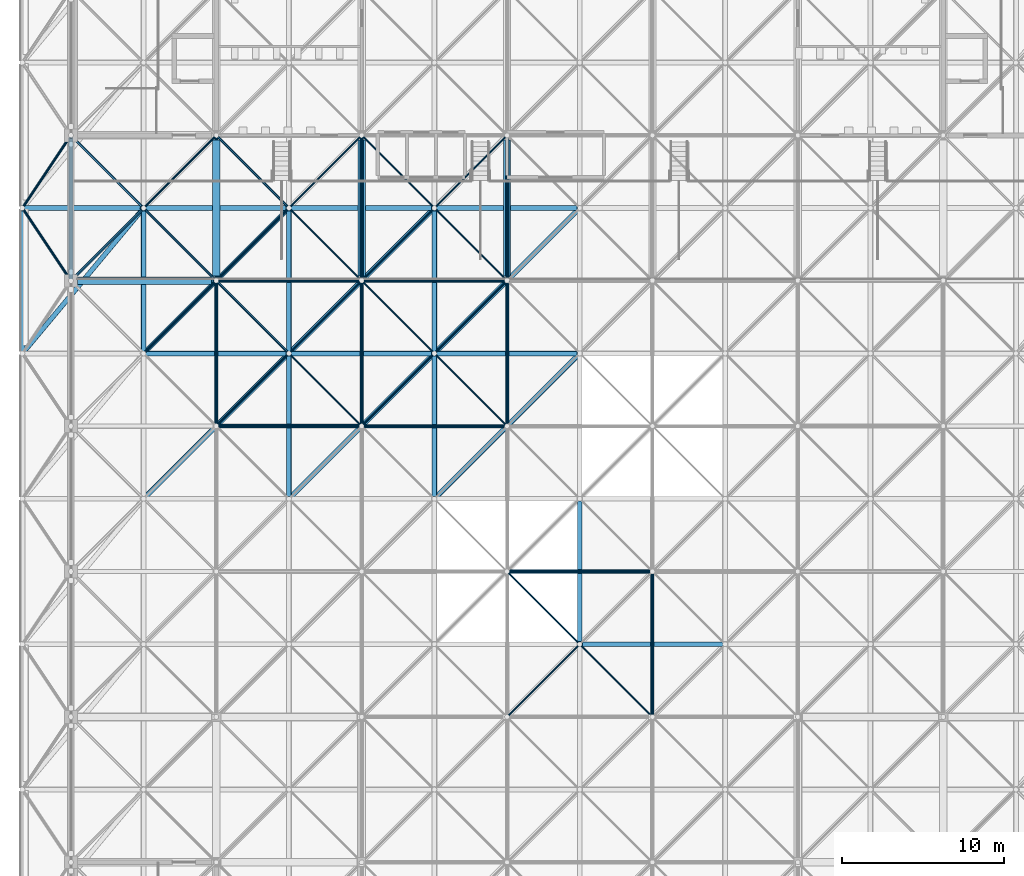
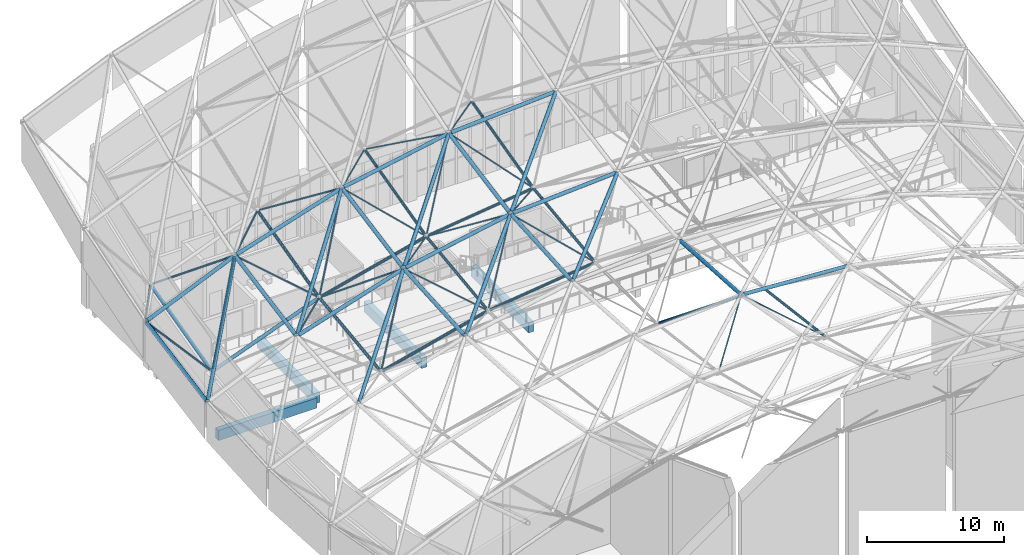
# One storey, part 99 of 437: 62 members, 4 beams.
"""IFC4 building model written with IfcOpenShell, lengths in metres."""

import ifcopenshell
import ifcopenshell.guid

model = None  # the IFC model being written
_history = None  # IfcOwnerHistory: only IFC2X3 demands one
_inside = {}  # id of a spatial element -> (the spatial element, [elements in it])
_under = {}  # id of a project, library or spatial element -> (it, [spatial elements below it])
_declared = {}  # id of a project -> (the project, [libraries it declares])
_typed = {}  # id of a type object -> (the type object, [elements of that type])
_made_of = {}  # id of a material, layer set ... -> (it, [elements and type objects made of it])


def new_model(schema):
    """Start an empty IFC model of exactly this schema.

    Asked for "IFC4X3", IfcOpenShell would pick the latest addendum, in which some entities
    have other attributes; the version numbers below select the first issue.
    IFC2X3 requires an IfcOwnerHistory on every rooted entity: one is made here for all.
    """
    global model, _history
    if schema == "IFC4X3":
        model = ifcopenshell.file(schema_version=(4, 3, 0, 0))
    else:
        model = ifcopenshell.file(schema=schema)
    _inside.clear()
    _under.clear()
    _declared.clear()
    _typed.clear()
    _made_of.clear()
    _history = None
    if model.schema == "IFC2X3":
        org = make("IfcOrganization", Name="unknown")
        user = make(
            "IfcPersonAndOrganization",
            ThePerson=make("IfcPerson", FamilyName="unknown"),
            TheOrganization=org,
        )
        app = make(
            "IfcApplication",
            ApplicationDeveloper=org,
            Version="unknown",
            ApplicationFullName="unknown",
            ApplicationIdentifier="unknown",
        )
        _history = make(
            "IfcOwnerHistory",
            OwningUser=user,
            OwningApplication=app,
            ChangeAction="ADDED",
            CreationDate=0,
        )
    return model


def make(cls, **values):
    """One entity of the class cls with the attributes given. An attribute that is None is left unset."""
    return model.create_entity(
        cls, **{name: value for name, value in values.items() if value is not None}
    )


def rooted(cls, **values):
    """An entity with a GlobalId (a new one), such as an element, a storey or a relation."""
    return make(cls, GlobalId=ifcopenshell.guid.new(), OwnerHistory=_history, **values)


def si_unit(unit_type, name, prefix=None):
    """IfcSIUnit, for example si_unit("LENGTHUNIT", "METRE", prefix="MILLI")."""
    return make("IfcSIUnit", UnitType=unit_type, Prefix=prefix, Name=name)


def assignment(units):
    """IfcUnitAssignment: the units of a project."""
    return None if units is None else make("IfcUnitAssignment", Units=units)


def point(xyz):
    """IfcCartesianPoint."""
    return None if xyz is None else make("IfcCartesianPoint", Coordinates=xyz)


def direction(xyz):
    """IfcDirection."""
    return None if xyz is None else make("IfcDirection", DirectionRatios=xyz)


def frame(location, z_axis=None, x_axis=None):
    """IfcAxis2Placement3D, a coordinate frame: its origin and axes. An axis left out is left unset."""
    return make(
        "IfcAxis2Placement3D",
        Location=point(location),
        Axis=direction(z_axis),
        RefDirection=direction(x_axis),
    )


def frame_2d(location, x_axis=None):
    """IfcAxis2Placement2D, a coordinate frame in the plane: its origin and x axis."""
    return make(
        "IfcAxis2Placement2D", Location=point(location), RefDirection=direction(x_axis)
    )


def origin():
    """The frame at (0, 0, 0) with its axes left unset."""
    return frame((0.0, 0.0, 0.0))


def origin_2d():
    """The frame at (0, 0) in the plane with its x axis left unset."""
    return frame_2d((0.0, 0.0))


def place(relative_to, where):
    """IfcLocalPlacement: puts the frame where relative to a parent placement (None: the world)."""
    return make(
        "IfcLocalPlacement", PlacementRelTo=relative_to, RelativePlacement=where
    )


def context(
    kind, dimensions, precision=None, world=None, true_north=None, identifier=None
):
    """IfcGeometricRepresentationContext, for example the 3D "Model" context."""
    return make(
        "IfcGeometricRepresentationContext",
        ContextIdentifier=identifier,
        ContextType=kind,
        CoordinateSpaceDimension=dimensions,
        Precision=precision,
        WorldCoordinateSystem=world,
        TrueNorth=true_north,
    )


def subcontext(parent, identifier, kind, view, scale=None):
    """IfcGeometricRepresentationSubContext, for example "Body" below "Model"."""
    return make(
        "IfcGeometricRepresentationSubContext",
        ContextIdentifier=identifier,
        ContextType=kind,
        ParentContext=parent,
        TargetScale=scale,
        TargetView=view,
    )


def project(units=None, contexts=None):
    """IfcProject with its units and contexts."""
    return rooted(
        "IfcProject",
        Name="project",
        RepresentationContexts=contexts,
        UnitsInContext=assignment(units),
    )


def spatial(cls, under=None, at=None, **own):
    """A site, building, storey or space (cls), placed at a placement, below another one or the project."""
    s = rooted(cls, ObjectPlacement=at, **own)
    if under is not None:
        _under.setdefault(under.id(), (under, []))[1].append(s)
    return s


def profile(cls, at=None, kind="AREA", **sizes):
    """A parametric profile (cls). Its sizes go by their IFC names, for example OverallWidth=200.0."""
    return make(cls, ProfileType=kind, Position=at, **sizes)


def rectangle(**sizes):
    """IfcRectangleProfileDef."""
    return profile("IfcRectangleProfileDef", **sizes)


def hollow_circle(**sizes):
    """IfcCircleHollowProfileDef."""
    return profile("IfcCircleHollowProfileDef", **sizes)


def extrude(swept, where, along, depth):
    """IfcExtrudedAreaSolid: the profile swept, set in the frame where, extruded along a direction by depth."""
    return make(
        "IfcExtrudedAreaSolid",
        SweptArea=swept,
        Position=where,
        ExtrudedDirection=direction(along),
        Depth=depth,
    )


def shape(context_of_items, identifier, shape_type, items):
    """IfcShapeRepresentation: the items that make up one representation, for example the "Body"."""
    return make(
        "IfcShapeRepresentation",
        ContextOfItems=context_of_items,
        RepresentationIdentifier=identifier,
        RepresentationType=shape_type,
        Items=items,
    )


def material(Name=None, Category=None):
    """IfcMaterial."""
    return make("IfcMaterial", Name=Name, Category=Category)


def material_profile(
    of_material, cross_section, Name=None, Category=None, Priority=None
):
    """IfcMaterialProfile: a cross section and its material."""
    return make(
        "IfcMaterialProfile",
        Name=Name,
        Material=of_material,
        Profile=cross_section,
        Priority=Priority,
        Category=Category,
    )


def profile_set(profiles, Name=None, composite=None):
    """IfcMaterialProfileSet."""
    return make(
        "IfcMaterialProfileSet",
        Name=Name,
        MaterialProfiles=profiles,
        CompositeProfile=composite,
    )


def made_of(thing, what):
    """Note that an element or type object is made of a material, layer set ...; save() writes the relation."""
    if what is not None:
        _made_of.setdefault(what.id(), (what, []))[1].append(thing)
    return thing


def type_object(cls, material=None, **own):
    """A type object (cls), such as IfcWallType, which elements share."""
    return made_of(rooted(cls, **own), material)


def element(
    cls,
    number,
    at=None,
    inside=None,
    cuts=None,
    type_object=None,
    material=None,
    context=None,
    identifier="Body",
    shape_type=None,
    held_by="IfcProductDefinitionShape",
    body=None,
    shapes=None,
    **own,
):
    """One element of the class cls, such as IfcWall. Its Tag is "e" and its number.

    at: its placement. inside: the storey or other place that contains it. cuts: it is an
    opening in that element (IfcRelVoidsElement). A single representation is given by context,
    identifier, shape_type and body (its items); several are given by shapes. held_by: the class
    of the entity that holds the representations. save() writes the other relations.
    """
    e = rooted(cls, Tag="e%d" % number, ObjectPlacement=at, **own)
    if body is not None:
        shapes = [shape(context, identifier, shape_type, body)]
    if shapes is not None:
        e.Representation = make(held_by, Representations=shapes)
    if inside is not None:
        _inside.setdefault(inside.id(), (inside, []))[1].append(e)
    if cuts is not None:
        rooted(
            "IfcRelVoidsElement", RelatingBuildingElement=cuts, RelatedOpeningElement=e
        )
    if type_object is not None:
        _typed.setdefault(type_object.id(), (type_object, []))[1].append(e)
    return made_of(e, material)


def aggregate(whole, parts):
    """IfcRelAggregates: a whole, such as a stair, and the parts it consists of."""
    return rooted("IfcRelAggregates", RelatingObject=whole, RelatedObjects=parts)


def save(model, path):
    """Write the relations noted so far, then the file.

    IfcRelAggregates (storeys below a building ...), IfcRelContainedInSpatialStructure (elements
    in a storey), IfcRelDefinesByType, IfcRelAssociatesMaterial and IfcRelDeclares: one each for
    every whole, place, type object, material and project.
    """
    for whole, parts in _under.values():
        aggregate(whole, parts)
    for where, things in _inside.values():
        rooted(
            "IfcRelContainedInSpatialStructure",
            RelatedElements=things,
            RelatingStructure=where,
        )
    for kind, things in _typed.values():
        rooted("IfcRelDefinesByType", RelatedObjects=things, RelatingType=kind)
    for what, things in _made_of.values():
        rooted("IfcRelAssociatesMaterial", RelatedObjects=things, RelatingMaterial=what)
    for by, libraries in _declared.values():
        rooted("IfcRelDeclares", RelatingContext=by, RelatedDefinitions=libraries)
    model.write(path)


model = new_model("IFC4")

# Units and contexts
model_context = context("Model", 3, precision=1e-05, world=origin(), true_north=direction((0.0, 1.0)))
body_context = subcontext(model_context, "Body", "Model", "MODEL_VIEW")
ifc_project = project(units=[si_unit("LENGTHUNIT", "METRE"), si_unit("AREAUNIT", "SQUARE_METRE"), si_unit("VOLUMEUNIT", "CUBIC_METRE"), si_unit("PLANEANGLEUNIT", "RADIAN"), si_unit("MASSUNIT", "GRAM", prefix="KILO")], contexts=[model_context])

# Site, building, storey
site_placement = place(None, origin())
site = spatial("IfcSite", under=ifc_project, at=site_placement, CompositionType="ELEMENT")
building_placement = place(site_placement, origin())
building = spatial("IfcBuilding", under=site, at=building_placement, Name="Opaline Strait Convention Centre", CompositionType="ELEMENT")
storey_placement = place(building_placement, frame((0.0, 0.0, 11.5)))
storey = spatial("IfcBuildingStorey", under=building, at=storey_placement, Name="L02", CompositionType="ELEMENT", Elevation=11.5)

# Beams
ifc_material_1 = material(Name="Concrete C35", Category="concrete")
ifc_material_profile_1 = material_profile(ifc_material_1, rectangle(XDim=0.449951171875, YDim=0.89990234375, at=origin_2d()), Name="RC 450x900")
ifc_profile_set_1 = profile_set([ifc_material_profile_1], Name="Concrete C35")
beam_type = type_object("IfcBeamType", Name="RC floor beam 450x900 C35", PredefinedType="BEAM", material=ifc_profile_set_1)
beam_placement = place(storey_placement, frame((9.39990234375, 162.0, -0.72998046875), z_axis=(1.0, 0.0, 0.0), x_axis=(0.0, 1.0, 0.0)))
element("IfcBeam", 1, at=beam_placement, inside=storey, type_object=beam_type, Name="PFB1 L02 beam 2/U-3/U", PredefinedType="BEAM", context=body_context, shape_type="SweptSolid", body=[
    extrude(rectangle(XDim=0.449951171875, YDim=0.89990234375, at=origin_2d()), origin(), (0.0, 0.0, 1.0), 8.300048828125),
])
for number, where, z_axis, x_axis, name in (
    (2, (18.0, 162.300048828125, -0.72998046875), (0.0, 1.0, 0.0), (-1.0, 0.0, 0.0), "PFB1 L02 beam 3/U-3/V"),
    (3, (27.0, 162.300048828125, -0.72998046875), (0.0, 1.0, 0.0), (-1.0, 0.0, 0.0), "PFB1 L02 beam 4/U-4/V"),
    (4, (36.0, 162.300048828125, -0.72998046875), (0.0, 1.0, 0.0), (-1.0, 0.0, 0.0), "PFB1 L02 beam 5/U-5/V"),
):
    element("IfcBeam", number, at=place(storey_placement, frame(where, z_axis=z_axis, x_axis=x_axis)), inside=storey, type_object=beam_type, Name=name, PredefinedType="BEAM", context=body_context, shape_type="SweptSolid", body=[
        extrude(rectangle(XDim=0.449951171875, YDim=0.89990234375, at=origin_2d()), origin(), (0.0, 0.0, 1.0), 8.39990234375),
    ])

# Members
ifc_material_2 = material(Name="Steel Q355B", Category="steel")
ifc_material_profile_2 = material_profile(ifc_material_2, hollow_circle(Radius=0.109619140625, WallThickness=0.008056640625, at=origin_2d()), Name="CHS 219x8")
ifc_profile_set_2 = profile_set([ifc_material_profile_2], Name="Steel Q355B")
member_type_1 = type_object("IfcMemberType", Name="Shell truss bottom chord CHS 219x8", PredefinedType="CHORD", material=ifc_profile_set_2)
member_1_placement = place(storey_placement, frame((36.14990234375, 144.0, 10.695068359375), z_axis=(1.0, 0.0, 0.0), x_axis=(0.0, 1.0, 0.0)))
element("IfcMember", 5, at=member_1_placement, inside=storey, type_object=member_type_1, Name="PBC3 bottom chord X4-4", PredefinedType="CHORD", context=body_context, shape_type="SweptSolid", body=[
    extrude(hollow_circle(Radius=0.109619140625, WallThickness=0.008056640625, at=origin_2d()), origin(), (0.0, 0.0, 1.0), 8.7001953125),
])
for number, where, z_axis, x_axis, name in (
    (6, (27.14990234375, 153.0, 9.5712890625), (0.992034447069, 0.0, 0.125966883853), (0.0, 1.0, 0.0), "PBC3 bottom chord X3-5"),
    (7, (27.14990234375, 162.0, 10.714111328125), (0.992034447069, 0.0, 0.125966883853), (0.0, 1.0, 0.0), "PBC3 bottom chord X3-6"),
    (8, (27.0, 153.14990234375, 9.5712890625), (0.0, 0.992034447069, 0.125966883853), (-1.0, 0.0, 0.0), "PBC3 bottom chord Y3-5"),
):
    element("IfcMember", number, at=place(storey_placement, frame(where, z_axis=z_axis, x_axis=x_axis)), inside=storey, type_object=member_type_1, Name=name, PredefinedType="CHORD", context=body_context, shape_type="SweptSolid", body=[
        extrude(hollow_circle(Radius=0.109619140625, WallThickness=0.008056640625, at=origin_2d()), origin(), (0.0, 0.0, 1.0), 8.77001953125),
    ])
member_2_placement = place(storey_placement, frame((27.0, 162.14990234375, 10.733154296875), z_axis=(0.0, 0.969233447146, 0.246143301624), x_axis=(-1.0, 0.0, 0.0)))
element("IfcMember", 9, at=member_2_placement, inside=storey, type_object=member_type_1, Name="PBC3 bottom chord Y3-6", PredefinedType="CHORD", context=body_context, shape_type="SweptSolid", body=[
    extrude(hollow_circle(Radius=0.109619140625, WallThickness=0.008056640625, at=origin_2d()), origin(), (0.0, 0.0, 1.0), 8.976318359375),
])
member_3_placement = place(storey_placement, frame((36.0, 153.14990234375, 10.714111328125), z_axis=(0.0, 0.992034447069, 0.125966883853), x_axis=(-1.0, 0.0, 0.0)))
element("IfcMember", 10, at=member_3_placement, inside=storey, type_object=member_type_1, Name="PBC3 bottom chord Y4-5", PredefinedType="CHORD", context=body_context, shape_type="SweptSolid", body=[
    extrude(hollow_circle(Radius=0.109619140625, WallThickness=0.008056640625, at=origin_2d()), origin(), (0.0, 0.0, 1.0), 8.77001953125),
])
member_4_placement = place(storey_placement, frame((36.0, 162.14990234375, 11.8759765625), z_axis=(0.0, 0.969233447146, 0.246143301624), x_axis=(-1.0, 0.0, 0.0)))
element("IfcMember", 11, at=member_4_placement, inside=storey, type_object=member_type_1, Name="PBC3 bottom chord Y4-6", PredefinedType="CHORD", context=body_context, shape_type="SweptSolid", body=[
    extrude(hollow_circle(Radius=0.109619140625, WallThickness=0.008056640625, at=origin_2d()), origin(), (0.0, 0.0, 1.0), 8.976318359375),
])
member_5_placement = place(storey_placement, frame((45.0, 135.14990234375, 11.81884765625), z_axis=(0.0, 0.992034447069, -0.125966883853), x_axis=(-1.0, 0.0, 0.0)))
element("IfcMember", 12, at=member_5_placement, inside=storey, type_object=member_type_1, Name="PBC3 bottom chord Y5-3", PredefinedType="CHORD", context=body_context, shape_type="SweptSolid", body=[
    extrude(hollow_circle(Radius=0.109619140625, WallThickness=0.008056640625, at=origin_2d()), origin(), (0.0, 0.0, 1.0), 8.77001953125),
])
ifc_material_profile_3 = material_profile(ifc_material_2, hollow_circle(Radius=0.12255859375, WallThickness=0.011962890625, at=origin_2d()), Name="CHS 245x12")
ifc_profile_set_3 = profile_set([ifc_material_profile_3], Name="Steel Q355B")
member_type_2 = type_object("IfcMemberType", Name="Shell truss bottom chord CHS 245x12", PredefinedType="CHORD", material=ifc_profile_set_3)
for number, where, z_axis, x_axis, name in (
    (13, (18.14990234375, 153.0, 7.304443359375), (0.969233447146, 0.0, 0.246143301624), (0.0, 1.0, 0.0), "PBC2 bottom chord X2-5"),
    (14, (18.14990234375, 162.0, 8.447509765625), (0.969233447146, 0.0, 0.246143301624), (0.0, 1.0, 0.0), "PBC2 bottom chord X2-6"),
):
    element("IfcMember", number, at=place(storey_placement, frame(where, z_axis=z_axis, x_axis=x_axis)), inside=storey, type_object=member_type_2, Name=name, PredefinedType="CHORD", context=body_context, shape_type="SweptSolid", body=[
        extrude(hollow_circle(Radius=0.12255859375, WallThickness=0.011962890625, at=origin_2d()), origin(), (0.0, 0.0, 1.0), 8.976318359375),
    ])
member_6_placement = place(storey_placement, frame((18.0, 153.14990234375, 7.285400390625), z_axis=(0.0, 0.992034447069, 0.125966883853), x_axis=(-1.0, 0.0, 0.0)))
element("IfcMember", 15, at=member_6_placement, inside=storey, type_object=member_type_2, Name="PBC2 bottom chord Y2-5", PredefinedType="CHORD", context=body_context, shape_type="SweptSolid", body=[
    extrude(hollow_circle(Radius=0.12255859375, WallThickness=0.011962890625, at=origin_2d()), origin(), (0.0, 0.0, 1.0), 8.77001953125),
])
member_7_placement = place(storey_placement, frame((18.0, 162.14990234375, 8.447509765625), z_axis=(0.0, 0.969233447146, 0.246143301624), x_axis=(-1.0, 0.0, 0.0)))
element("IfcMember", 16, at=member_7_placement, inside=storey, type_object=member_type_2, Name="PBC2 bottom chord Y2-6", PredefinedType="CHORD", context=body_context, shape_type="SweptSolid", body=[
    extrude(hollow_circle(Radius=0.12255859375, WallThickness=0.011962890625, at=origin_2d()), origin(), (0.0, 0.0, 1.0), 8.976318359375),
])
ifc_material_profile_4 = material_profile(ifc_material_2, hollow_circle(Radius=0.136474609375, WallThickness=0.011962890625, at=origin_2d()), Name="CHS 273x12")
ifc_profile_set_4 = profile_set([ifc_material_profile_4], Name="Steel Q355B")
member_type_3 = type_object("IfcMemberType", Name="Shell truss bottom chord CHS 273x12", PredefinedType="CHORD", material=ifc_profile_set_4)
member_8_placement = place(storey_placement, frame((9.14990234375, 162.0, 5.037841796875), z_axis=(0.934493135261, 0.0, 0.355981151397), x_axis=(0.0, 1.0, 0.0)))
element("IfcMember", 17, at=member_8_placement, inside=storey, type_object=member_type_3, Name="PBC1 bottom chord X1-6", PredefinedType="CHORD", context=body_context, shape_type="SweptSolid", body=[
    extrude(hollow_circle(Radius=0.136474609375, WallThickness=0.011962890625, at=origin_2d()), origin(), (0.0, 0.0, 1.0), 9.31005859375),
])
member_9_placement = place(storey_placement, frame((9.0, 162.14990234375, 5.018798828125), z_axis=(0.0, 0.969233447146, 0.246143301624), x_axis=(-1.0, 0.0, 0.0)))
element("IfcMember", 18, at=member_9_placement, inside=storey, type_object=member_type_3, Name="PBC1 bottom chord Y1-6", PredefinedType="CHORD", context=body_context, shape_type="SweptSolid", body=[
    extrude(hollow_circle(Radius=0.136474609375, WallThickness=0.011962890625, at=origin_2d()), origin(), (0.0, 0.0, 1.0), 8.976318359375),
])
ifc_material_profile_5 = material_profile(ifc_material_2, hollow_circle(Radius=0.1494140625, WallThickness=0.010009765625, at=origin_2d()), Name="CHS 299x10")
ifc_profile_set_5 = profile_set([ifc_material_profile_5], Name="Steel Q355B")
member_type_4 = type_object("IfcMemberType", Name="Shell truss top chord CHS 299x10", PredefinedType="CHORD", material=ifc_profile_set_5)
member_10_placement = place(storey_placement, frame((40.64990234375, 139.5, 14.406982421875), z_axis=(0.997989749805, 0.0, -0.063375541694), x_axis=(0.0, 1.0, 0.0)))
element("IfcMember", 19, at=member_10_placement, inside=storey, type_object=member_type_4, Name="PTC2 top chord X5-4", PredefinedType="CHORD", context=body_context, shape_type="SweptSolid", body=[
    extrude(hollow_circle(Radius=0.1494140625, WallThickness=0.010009765625, at=origin_2d()), origin(), (0.0, 0.0, 1.0), 8.7177734375),
])
member_11_placement = place(storey_placement, frame((22.64990234375, 157.5, 12.1591796875), z_axis=(0.982337601302, 0.0, 0.187117174701), x_axis=(0.0, 1.0, 0.0)))
element("IfcMember", 20, at=member_11_placement, inside=storey, type_object=member_type_4, Name="PTC2 top chord X3-6", PredefinedType="CHORD", context=body_context, shape_type="SweptSolid", body=[
    extrude(hollow_circle(Radius=0.1494140625, WallThickness=0.010009765625, at=origin_2d()), origin(), (0.0, 0.0, 1.0), 8.856689453125),
])
member_12_placement = place(storey_placement, frame((31.64990234375, 157.5, 13.8544921875), z_axis=(0.997989749805, 0.0, 0.063375541694), x_axis=(0.0, 1.0, 0.0)))
element("IfcMember", 21, at=member_12_placement, inside=storey, type_object=member_type_4, Name="PTC2 top chord X4-6", PredefinedType="CHORD", context=body_context, shape_type="SweptSolid", body=[
    extrude(hollow_circle(Radius=0.1494140625, WallThickness=0.010009765625, at=origin_2d()), origin(), (0.0, 0.0, 1.0), 8.7177734375),
])
member_13_placement = place(storey_placement, frame((22.64990234375, 166.5, 13.87353515625), z_axis=(0.982337601302, 0.0, 0.187117174701), x_axis=(0.0, 1.0, 0.0)))
element("IfcMember", 22, at=member_13_placement, inside=storey, type_object=member_type_4, Name="PTC2 top chord X3-7", PredefinedType="CHORD", context=body_context, shape_type="SweptSolid", body=[
    extrude(hollow_circle(Radius=0.1494140625, WallThickness=0.010009765625, at=origin_2d()), origin(), (0.0, 0.0, 1.0), 8.856689453125),
])
for number, where, z_axis, x_axis, name in (
    (23, (31.64990234375, 166.5, 15.56884765625), (0.997991520688, 0.0, 0.063347649001), (0.0, 1.0, 0.0), "PTC2 top chord X4-7"),
    (24, (31.5, 148.64990234375, 13.283203125), (0.0, 0.997991520688, 0.063347649001), (-1.0, 0.0, 0.0), "PTC2 top chord Y4-5"),
):
    element("IfcMember", number, at=place(storey_placement, frame(where, z_axis=z_axis, x_axis=x_axis)), inside=storey, type_object=member_type_4, Name=name, PredefinedType="CHORD", context=body_context, shape_type="SweptSolid", body=[
        extrude(hollow_circle(Radius=0.1494140625, WallThickness=0.010009765625, at=origin_2d()), origin(), (0.0, 0.0, 1.0), 8.7177734375),
    ])
member_14_placement = place(storey_placement, frame((31.5, 157.64990234375, 13.87353515625), z_axis=(0.0, 0.982337601302, 0.187117174701), x_axis=(-1.0, 0.0, 0.0)))
element("IfcMember", 25, at=member_14_placement, inside=storey, type_object=member_type_4, Name="PTC2 top chord Y4-6", PredefinedType="CHORD", context=body_context, shape_type="SweptSolid", body=[
    extrude(hollow_circle(Radius=0.1494140625, WallThickness=0.010009765625, at=origin_2d()), origin(), (0.0, 0.0, 1.0), 8.856689453125),
])
member_15_placement = place(storey_placement, frame((40.5, 139.64990234375, 14.406982421875), z_axis=(0.0, 0.997989749805, -0.063375541694), x_axis=(-1.0, 0.0, 0.0)))
element("IfcMember", 26, at=member_15_placement, inside=storey, type_object=member_type_4, Name="PTC2 top chord Y5-4", PredefinedType="CHORD", context=body_context, shape_type="SweptSolid", body=[
    extrude(hollow_circle(Radius=0.1494140625, WallThickness=0.010009765625, at=origin_2d()), origin(), (0.0, 0.0, 1.0), 8.7177734375),
])
member_16_placement = place(storey_placement, frame((22.606201171875, 148.606201171875, 11.586181640625), z_axis=(0.695971699433, 0.695971699433, 0.176767607829), x_axis=(-0.707106781187, 0.707106781187, 0.0)))
element("IfcMember", 27, at=member_16_placement, inside=storey, type_object=member_type_4, Name="PTC2 top chord D3-5", PredefinedType="CHORD", context=body_context, shape_type="SweptSolid", body=[
    extrude(hollow_circle(Radius=0.1494140625, WallThickness=0.010009765625, at=origin_2d()), origin(), (0.0, 0.0, 1.0), 12.62646484375),
])
member_17_placement = place(storey_placement, frame((22.606201171875, 157.606201171875, 12.171142578125), z_axis=(0.6827688932, 0.6827688932, 0.260102435505), x_axis=(-0.707106781187, 0.707106781187, 0.0)))
element("IfcMember", 28, at=member_17_placement, inside=storey, type_object=member_type_4, Name="PTC2 top chord D3-6", PredefinedType="CHORD", context=body_context, shape_type="SweptSolid", body=[
    extrude(hollow_circle(Radius=0.1494140625, WallThickness=0.010009765625, at=origin_2d()), origin(), (0.0, 0.0, 1.0), 12.87060546875),
])
member_18_placement = place(storey_placement, frame((31.606201171875, 148.606201171875, 13.287109375), z_axis=(0.704272973434, 0.704272973434, 0.089438010823), x_axis=(-0.707106781187, 0.707106781187, 0.0)))
element("IfcMember", 29, at=member_18_placement, inside=storey, type_object=member_type_4, Name="PTC2 top chord D4-5", PredefinedType="CHORD", context=body_context, shape_type="SweptSolid", body=[
    extrude(hollow_circle(Radius=0.1494140625, WallThickness=0.010009765625, at=origin_2d()), origin(), (0.0, 0.0, 1.0), 12.4775390625),
])
member_19_placement = place(storey_placement, frame((31.606201171875, 157.606201171875, 13.871826171875), z_axis=(0.695971699433, 0.695971699433, 0.176767607829), x_axis=(-0.707106781187, 0.707106781187, 0.0)))
element("IfcMember", 30, at=member_19_placement, inside=storey, type_object=member_type_4, Name="PTC2 top chord D4-6", PredefinedType="CHORD", context=body_context, shape_type="SweptSolid", body=[
    extrude(hollow_circle(Radius=0.1494140625, WallThickness=0.010009765625, at=origin_2d()), origin(), (0.0, 0.0, 1.0), 12.62646484375),
])
ifc_material_profile_6 = material_profile(ifc_material_2, hollow_circle(Radius=0.1494140625, WallThickness=0.01611328125, at=origin_2d()), Name="CHS 299x16")
ifc_profile_set_6 = profile_set([ifc_material_profile_6], Name="Steel Q355B")
member_type_5 = type_object("IfcMemberType", Name="Shell truss top chord CHS 299x16", PredefinedType="CHORD", material=ifc_profile_set_6)
member_20_placement = place(storey_placement, frame((13.64990234375, 157.5, 9.3212890625), z_axis=(0.953132102782, 0.0, 0.302554449059), x_axis=(0.0, 1.0, 0.0)))
element("IfcMember", 31, at=member_20_placement, inside=storey, type_object=member_type_5, Name="PTC1 top chord X2-6", PredefinedType="CHORD", context=body_context, shape_type="SweptSolid", body=[
    extrude(hollow_circle(Radius=0.1494140625, WallThickness=0.01611328125, at=origin_2d()), origin(), (0.0, 0.0, 1.0), 9.1279296875),
])
member_21_placement = place(storey_placement, frame((6.14990234375, 166.5, 7.799072265625), z_axis=(0.917383800951, 0.0, 0.398003720777), x_axis=(0.0, 1.0, 0.0)))
element("IfcMember", 32, at=member_21_placement, inside=storey, type_object=member_type_5, Name="PTC1 top chord X1-7", PredefinedType="CHORD", context=body_context, shape_type="SweptSolid", body=[
    extrude(hollow_circle(Radius=0.1494140625, WallThickness=0.01611328125, at=origin_2d()), origin(), (0.0, 0.0, 1.0), 7.8486328125),
])
member_22_placement = place(storey_placement, frame((13.64990234375, 166.5, 11.035400390625), z_axis=(0.95312438958, 0.0, 0.302578746754), x_axis=(0.0, 1.0, 0.0)))
element("IfcMember", 33, at=member_22_placement, inside=storey, type_object=member_type_5, Name="PTC1 top chord X2-7", PredefinedType="CHORD", context=body_context, shape_type="SweptSolid", body=[
    extrude(hollow_circle(Radius=0.1494140625, WallThickness=0.01611328125, at=origin_2d()), origin(), (0.0, 0.0, 1.0), 9.128173828125),
])
for number, where, z_axis, x_axis, name in (
    (34, (6.0, 157.64990234375, 6.048095703125), (0.0, 0.982337601302, 0.187117174701), (-1.0, 0.0, 0.0), "PTC1 top chord Y1-6"),
    (35, (13.5, 157.64990234375, 9.302001953125), (0.0, 0.982337601302, 0.187117174701), (-1.0, 0.0, 0.0), "PTC1 top chord Y2-6"),
):
    element("IfcMember", number, at=place(storey_placement, frame(where, z_axis=z_axis, x_axis=x_axis)), inside=storey, type_object=member_type_5, Name=name, PredefinedType="CHORD", context=body_context, shape_type="SweptSolid", body=[
        extrude(hollow_circle(Radius=0.1494140625, WallThickness=0.01611328125, at=origin_2d()), origin(), (0.0, 0.0, 1.0), 8.856689453125),
    ])
member_23_placement = place(storey_placement, frame((22.5, 148.64990234375, 11.56884765625), z_axis=(0.0, 0.997991520688, 0.063347649001), x_axis=(-1.0, 0.0, 0.0)))
element("IfcMember", 36, at=member_23_placement, inside=storey, type_object=member_type_5, Name="PTC1 top chord Y3-5", PredefinedType="CHORD", context=body_context, shape_type="SweptSolid", body=[
    extrude(hollow_circle(Radius=0.1494140625, WallThickness=0.01611328125, at=origin_2d()), origin(), (0.0, 0.0, 1.0), 8.7177734375),
])
member_24_placement = place(storey_placement, frame((22.5, 157.64990234375, 12.1591796875), z_axis=(0.0, 0.982337601302, 0.187117174701), x_axis=(-1.0, 0.0, 0.0)))
element("IfcMember", 37, at=member_24_placement, inside=storey, type_object=member_type_5, Name="PTC1 top chord Y3-6", PredefinedType="CHORD", context=body_context, shape_type="SweptSolid", body=[
    extrude(hollow_circle(Radius=0.1494140625, WallThickness=0.01611328125, at=origin_2d()), origin(), (0.0, 0.0, 1.0), 8.856689453125),
])
member_25_placement = place(storey_placement, frame((6.095947265625, 157.615234375, 6.083251953125), z_axis=(0.589384448155, 0.707245586214, 0.39042240337), x_axis=(-0.768214267482, 0.640192814109, 0.0)))
element("IfcMember", 38, at=member_25_placement, inside=storey, type_object=member_type_5, Name="PTC1 top chord D1-6", PredefinedType="CHORD", context=body_context, shape_type="SweptSolid", body=[
    extrude(hollow_circle(Radius=0.1494140625, WallThickness=0.01611328125, at=origin_2d()), origin(), (0.0, 0.0, 1.0), 12.399658203125),
])
member_26_placement = place(storey_placement, frame((13.606201171875, 148.606201171875, 8.742431640625), z_axis=(0.682765524407, 0.682765524407, 0.260120121026), x_axis=(-0.707106781187, 0.707106781187, 0.0)))
element("IfcMember", 39, at=member_26_placement, inside=storey, type_object=member_type_5, Name="PTC1 top chord D2-5", PredefinedType="CHORD", context=body_context, shape_type="SweptSolid", body=[
    extrude(hollow_circle(Radius=0.1494140625, WallThickness=0.01611328125, at=origin_2d()), origin(), (0.0, 0.0, 1.0), 12.87060546875),
])
member_27_placement = place(storey_placement, frame((13.606201171875, 157.606201171875, 9.327392578125), z_axis=(0.66548332054, 0.66548332054, 0.338029436835), x_axis=(-0.707106781187, 0.707106781187, 0.0)))
element("IfcMember", 40, at=member_27_placement, inside=storey, type_object=member_type_5, Name="PTC1 top chord D2-6", PredefinedType="CHORD", context=body_context, shape_type="SweptSolid", body=[
    extrude(hollow_circle(Radius=0.1494140625, WallThickness=0.01611328125, at=origin_2d()), origin(), (0.0, 0.0, 1.0), 13.204833984375),
])
ifc_material_profile_7 = material_profile(ifc_material_2, hollow_circle(Radius=0.056884765625, WallThickness=0.006103515625, at=origin_2d()), Name="CHS 114x6")
ifc_profile_set_7 = profile_set([ifc_material_profile_7], Name="Steel Q355B")
member_type_6 = type_object("IfcMemberType", Name="Shell truss web CHS 114x6", PredefinedType="BRACE", material=ifc_profile_set_7)
member_28_placement = place(storey_placement, frame((26.893798828125, 153.106201171875, 9.61279296875), z_axis=(-0.655347879398, 0.655347879398, 0.375550680917), x_axis=(-0.707106781187, -0.707106781187, 0.0)))
element("IfcMember", 41, at=member_28_placement, inside=storey, type_object=member_type_6, Name="PWB3 web 3-5ad", PredefinedType="BRACE", context=body_context, shape_type="SweptSolid", body=[
    extrude(hollow_circle(Radius=0.056884765625, WallThickness=0.006103515625, at=origin_2d()), origin(), (0.0, 0.0, 1.0), 6.54248046875),
])
member_29_placement = place(storey_placement, frame((27.106201171875, 153.106201171875, 9.6533203125), z_axis=(0.58618937533, 0.58618937533, 0.559253102361), x_axis=(-0.707106781187, 0.707106781187, 0.0)))
element("IfcMember", 42, at=member_29_placement, inside=storey, type_object=member_type_6, Name="PWB3 web 3-5bd", PredefinedType="BRACE", context=body_context, shape_type="SweptSolid", body=[
    extrude(hollow_circle(Radius=0.056884765625, WallThickness=0.006103515625, at=origin_2d()), origin(), (0.0, 0.0, 1.0), 7.314453125),
])
member_30_placement = place(storey_placement, frame((26.893798828125, 161.893798828125, 10.728759765625), z_axis=(-0.689766139831, -0.689766139831, 0.220103031979), x_axis=(0.707106781187, -0.707106781187, 0.0)))
element("IfcMember", 43, at=member_30_placement, inside=storey, type_object=member_type_6, Name="PWB3 web 3-6ac", PredefinedType="BRACE", context=body_context, shape_type="SweptSolid", body=[
    extrude(hollow_circle(Radius=0.056884765625, WallThickness=0.006103515625, at=origin_2d()), origin(), (0.0, 0.0, 1.0), 6.216064453125),
])
for number, where, z_axis, x_axis, name in (
    (44, (26.893798828125, 162.106201171875, 10.769287109375), (-0.633718163842, 0.633718163842, 0.443624365464), (-0.707106781187, -0.707106781187, 0.0), "PWB3 web 3-6ad"),
    (45, (27.106201171875, 161.893798828125, 10.769287109375), (0.633718163842, -0.633718163842, 0.443624365464), (0.707106781187, 0.707106781187, 0.0), "PWB3 web 3-6bc"),
):
    element("IfcMember", number, at=place(storey_placement, frame(where, z_axis=z_axis, x_axis=x_axis)), inside=storey, type_object=member_type_6, Name=name, PredefinedType="BRACE", context=body_context, shape_type="SweptSolid", body=[
        extrude(hollow_circle(Radius=0.056884765625, WallThickness=0.006103515625, at=origin_2d()), origin(), (0.0, 0.0, 1.0), 6.765869140625),
    ])
member_31_placement = place(storey_placement, frame((27.106201171875, 162.106201171875, 10.809814453125), z_axis=(0.56178917646, 0.56178917646, 0.607277401544), x_axis=(-0.707106781187, 0.707106781187, 0.0)))
element("IfcMember", 46, at=member_31_placement, inside=storey, type_object=member_type_6, Name="PWB3 web 3-6bd", PredefinedType="BRACE", context=body_context, shape_type="SweptSolid", body=[
    extrude(hollow_circle(Radius=0.056884765625, WallThickness=0.006103515625, at=origin_2d()), origin(), (0.0, 0.0, 1.0), 7.632080078125),
])
member_32_placement = place(storey_placement, frame((26.893798828125, 170.893798828125, 13.001220703125), z_axis=(-0.700674687609, -0.700674687609, 0.134573267356), x_axis=(0.707106781187, -0.707106781187, 0.0)))
element("IfcMember", 47, at=member_32_placement, inside=storey, type_object=member_type_6, Name="PWB3 web 3-7ac", PredefinedType="BRACE", context=body_context, shape_type="SweptSolid", body=[
    extrude(hollow_circle(Radius=0.056884765625, WallThickness=0.006103515625, at=origin_2d()), origin(), (0.0, 0.0, 1.0), 6.119140625),
])
for number, where, z_axis, x_axis, name in (
    (48, (27.106201171875, 170.893798828125, 13.04150390625), (0.655347879398, -0.655347879398, 0.375550680917), (0.707106781187, 0.707106781187, 0.0), "PWB3 web 3-7bc"),
    (49, (36.106201171875, 135.106201171875, 11.898681640625), (0.655347879398, 0.655347879398, 0.375550680917), (-0.707106781187, 0.707106781187, 0.0), "PWB3 web 4-3bd"),
):
    element("IfcMember", number, at=place(storey_placement, frame(where, z_axis=z_axis, x_axis=x_axis)), inside=storey, type_object=member_type_6, Name=name, PredefinedType="BRACE", context=body_context, shape_type="SweptSolid", body=[
        extrude(hollow_circle(Radius=0.056884765625, WallThickness=0.006103515625, at=origin_2d()), origin(), (0.0, 0.0, 1.0), 6.54248046875),
    ])
member_33_placement = place(storey_placement, frame((36.106201171875, 143.893798828125, 10.78271484375), z_axis=(0.61039752844, -0.61039752844, 0.504806611039), x_axis=(0.707106781187, 0.707106781187, 0.0)))
element("IfcMember", 50, at=member_33_placement, inside=storey, type_object=member_type_6, Name="PWB3 web 4-4bc", PredefinedType="BRACE", context=body_context, shape_type="SweptSolid", body=[
    extrude(hollow_circle(Radius=0.056884765625, WallThickness=0.006103515625, at=origin_2d()), origin(), (0.0, 0.0, 1.0), 7.024169921875),
])
member_34_placement = place(storey_placement, frame((35.893798828125, 153.106201171875, 10.769287109375), z_axis=(-0.633718163842, 0.633718163842, 0.443624365464), x_axis=(-0.707106781187, -0.707106781187, 0.0)))
element("IfcMember", 51, at=member_34_placement, inside=storey, type_object=member_type_6, Name="PWB3 web 4-5ad", PredefinedType="BRACE", context=body_context, shape_type="SweptSolid", body=[
    extrude(hollow_circle(Radius=0.056884765625, WallThickness=0.006103515625, at=origin_2d()), origin(), (0.0, 0.0, 1.0), 6.765869140625),
])
member_35_placement = place(storey_placement, frame((35.893798828125, 161.893798828125, 11.88525390625), z_axis=(-0.674363311794, -0.674363311794, 0.300779399914), x_axis=(0.707106781187, -0.707106781187, 0.0)))
element("IfcMember", 52, at=member_35_placement, inside=storey, type_object=member_type_6, Name="PWB3 web 4-6ac", PredefinedType="BRACE", context=body_context, shape_type="SweptSolid", body=[
    extrude(hollow_circle(Radius=0.056884765625, WallThickness=0.006103515625, at=origin_2d()), origin(), (0.0, 0.0, 1.0), 6.35791015625),
])
member_36_placement = place(storey_placement, frame((35.893798828125, 162.106201171875, 11.925537109375), z_axis=(-0.610386818671, 0.610386818671, 0.504832510033), x_axis=(-0.707106781187, -0.707106781187, 0.0)))
element("IfcMember", 53, at=member_36_placement, inside=storey, type_object=member_type_6, Name="PWB3 web 4-6ad", PredefinedType="BRACE", context=body_context, shape_type="SweptSolid", body=[
    extrude(hollow_circle(Radius=0.056884765625, WallThickness=0.006103515625, at=origin_2d()), origin(), (0.0, 0.0, 1.0), 7.0244140625),
])
member_37_placement = place(storey_placement, frame((35.893798828125, 170.893798828125, 14.157470703125), z_axis=(-0.689772102252, -0.689772102252, 0.220065658178), x_axis=(0.707106781187, -0.707106781187, 0.0)))
element("IfcMember", 54, at=member_37_placement, inside=storey, type_object=member_type_6, Name="PWB3 web 4-7ac", PredefinedType="BRACE", context=body_context, shape_type="SweptSolid", body=[
    extrude(hollow_circle(Radius=0.056884765625, WallThickness=0.006103515625, at=origin_2d()), origin(), (0.0, 0.0, 1.0), 6.216064453125),
])
member_38_placement = place(storey_placement, frame((44.893798828125, 135.106201171875, 11.898681640625), z_axis=(-0.655347879398, 0.655347879398, 0.375550680917), x_axis=(-0.707106781187, -0.707106781187, 0.0)))
element("IfcMember", 55, at=member_38_placement, inside=storey, type_object=member_type_6, Name="PWB3 web 5-3ad", PredefinedType="BRACE", context=body_context, shape_type="SweptSolid", body=[
    extrude(hollow_circle(Radius=0.056884765625, WallThickness=0.006103515625, at=origin_2d()), origin(), (0.0, 0.0, 1.0), 6.54248046875),
])
ifc_material_profile_8 = material_profile(ifc_material_2, hollow_circle(Radius=0.070068359375, WallThickness=0.008056640625, at=origin_2d()), Name="CHS 140x8")
ifc_profile_set_8 = profile_set([ifc_material_profile_8], Name="Steel Q355B")
member_type_7 = type_object("IfcMemberType", Name="Shell truss web CHS 140x8", PredefinedType="BRACE", material=ifc_profile_set_8)
member_39_placement = place(storey_placement, frame((18.106201171875, 153.106201171875, 7.381103515625), z_axis=(0.561778263095, 0.561778263095, 0.607297592806), x_axis=(-0.707106781187, 0.707106781187, 0.0)))
element("IfcMember", 56, at=member_39_placement, inside=storey, type_object=member_type_7, Name="PWB2 web 2-5bd", PredefinedType="BRACE", context=body_context, shape_type="SweptSolid", body=[
    extrude(hollow_circle(Radius=0.070068359375, WallThickness=0.008056640625, at=origin_2d()), origin(), (0.0, 0.0, 1.0), 7.632080078125),
])
member_40_placement = place(storey_placement, frame((17.893798828125, 161.893798828125, 8.4296875), z_axis=(-0.700674687609, -0.700674687609, 0.134573267356), x_axis=(0.707106781187, -0.707106781187, 0.0)))
element("IfcMember", 57, at=member_40_placement, inside=storey, type_object=member_type_7, Name="PWB2 web 2-6ac", PredefinedType="BRACE", context=body_context, shape_type="SweptSolid", body=[
    extrude(hollow_circle(Radius=0.070068359375, WallThickness=0.008056640625, at=origin_2d()), origin(), (0.0, 0.0, 1.0), 6.119140625),
])
member_41_placement = place(storey_placement, frame((17.893798828125, 162.106201171875, 8.47021484375), z_axis=(-0.655357063272, 0.655357063272, 0.375518627019), x_axis=(-0.707106781187, -0.707106781187, 0.0)))
element("IfcMember", 58, at=member_41_placement, inside=storey, type_object=member_type_7, Name="PWB2 web 2-6ad", PredefinedType="BRACE", context=body_context, shape_type="SweptSolid", body=[
    extrude(hollow_circle(Radius=0.070068359375, WallThickness=0.008056640625, at=origin_2d()), origin(), (0.0, 0.0, 1.0), 6.54248046875),
])
member_42_placement = place(storey_placement, frame((18.106201171875, 161.893798828125, 8.4970703125), z_axis=(0.61039752844, -0.61039752844, 0.504806611039), x_axis=(0.707106781187, 0.707106781187, 0.0)))
element("IfcMember", 59, at=member_42_placement, inside=storey, type_object=member_type_7, Name="PWB2 web 2-6bc", PredefinedType="BRACE", context=body_context, shape_type="SweptSolid", body=[
    extrude(hollow_circle(Radius=0.070068359375, WallThickness=0.008056640625, at=origin_2d()), origin(), (0.0, 0.0, 1.0), 7.024169921875),
])
member_43_placement = place(storey_placement, frame((18.106201171875, 162.106201171875, 8.537353515625), z_axis=(0.537659406453, 0.537659406453, 0.649495746949), x_axis=(-0.707106781187, 0.707106781187, 0.0)))
element("IfcMember", 60, at=member_43_placement, inside=storey, type_object=member_type_7, Name="PWB2 web 2-6bd", PredefinedType="BRACE", context=body_context, shape_type="SweptSolid", body=[
    extrude(hollow_circle(Radius=0.070068359375, WallThickness=0.008056640625, at=origin_2d()), origin(), (0.0, 0.0, 1.0), 7.974609375),
])
member_44_placement = place(storey_placement, frame((17.893798828125, 170.893798828125, 10.701904296875), z_axis=(-0.706359162176, -0.706359162176, 0.045972470241), x_axis=(0.707106781187, -0.707106781187, 0.0)))
element("IfcMember", 61, at=member_44_placement, inside=storey, type_object=member_type_7, Name="PWB2 web 2-7ac", PredefinedType="BRACE", context=body_context, shape_type="SweptSolid", body=[
    extrude(hollow_circle(Radius=0.070068359375, WallThickness=0.008056640625, at=origin_2d()), origin(), (0.0, 0.0, 1.0), 6.070068359375),
])
member_45_placement = place(storey_placement, frame((18.106201171875, 170.893798828125, 10.769287109375), z_axis=(0.633718163842, -0.633718163842, 0.443624365464), x_axis=(0.707106781187, 0.707106781187, 0.0)))
element("IfcMember", 62, at=member_45_placement, inside=storey, type_object=member_type_7, Name="PWB2 web 2-7bc", PredefinedType="BRACE", context=body_context, shape_type="SweptSolid", body=[
    extrude(hollow_circle(Radius=0.070068359375, WallThickness=0.008056640625, at=origin_2d()), origin(), (0.0, 0.0, 1.0), 6.765869140625),
])
ifc_material_profile_9 = material_profile(ifc_material_2, hollow_circle(Radius=0.083984375, WallThickness=0.010009765625, at=origin_2d()), Name="CHS 168x10")
ifc_profile_set_9 = profile_set([ifc_material_profile_9], Name="Steel Q355B")
member_type_8 = type_object("IfcMemberType", Name="Shell truss web CHS 168x10", PredefinedType="BRACE", material=ifc_profile_set_9)
member_46_placement = place(storey_placement, frame((8.916748046875, 162.124755859375, 5.05712890625), z_axis=(-0.494319584438, 0.741521968384, 0.453644485081), x_axis=(-0.832064999387, -0.554678138018, 0.0)))
element("IfcMember", 63, at=member_46_placement, inside=storey, type_object=member_type_8, Name="PWB1 web 1-6ad", PredefinedType="BRACE", context=body_context, shape_type="SweptSolid", body=[
    extrude(hollow_circle(Radius=0.083984375, WallThickness=0.010009765625, at=origin_2d()), origin(), (0.0, 0.0, 1.0), 5.732177734375),
])
member_47_placement = place(storey_placement, frame((9.106201171875, 162.106201171875, 5.122314453125), z_axis=(0.514195979125, 0.514195979125, 0.68644372683), x_axis=(-0.707106781187, 0.707106781187, 0.0)))
element("IfcMember", 64, at=member_47_placement, inside=storey, type_object=member_type_8, Name="PWB1 web 1-6bd", PredefinedType="BRACE", context=body_context, shape_type="SweptSolid", body=[
    extrude(hollow_circle(Radius=0.083984375, WallThickness=0.010009765625, at=origin_2d()), origin(), (0.0, 0.0, 1.0), 8.33837890625),
])
member_48_placement = place(storey_placement, frame((8.916748046875, 170.875244140625, 7.279296875), z_axis=(-0.552616659628, -0.828972604181, 0.086135062663), x_axis=(0.832064999387, -0.554678138018, 0.0)))
element("IfcMember", 65, at=member_48_placement, inside=storey, type_object=member_type_8, Name="PWB1 web 1-7ac", PredefinedType="BRACE", context=body_context, shape_type="SweptSolid", body=[
    extrude(hollow_circle(Radius=0.083984375, WallThickness=0.010009765625, at=origin_2d()), origin(), (0.0, 0.0, 1.0), 5.12744140625),
])
member_49_placement = place(storey_placement, frame((9.106201171875, 170.893798828125, 7.35400390625), z_axis=(0.610386818671, -0.610386818671, 0.504832510033), x_axis=(0.707106781187, 0.707106781187, 0.0)))
element("IfcMember", 66, at=member_49_placement, inside=storey, type_object=member_type_8, Name="PWB1 web 1-7bc", PredefinedType="BRACE", context=body_context, shape_type="SweptSolid", body=[
    extrude(hollow_circle(Radius=0.083984375, WallThickness=0.010009765625, at=origin_2d()), origin(), (0.0, 0.0, 1.0), 7.0244140625),
])

save(model, "model.ifc")
